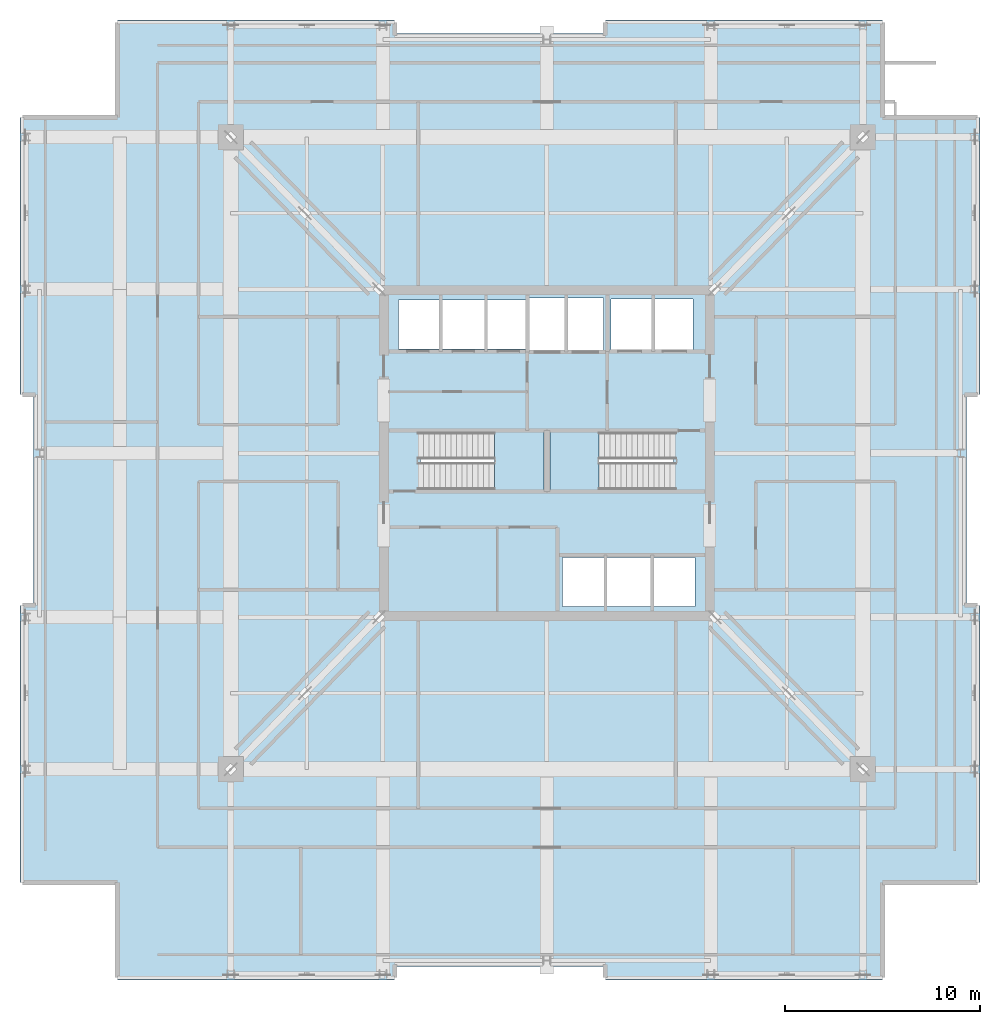
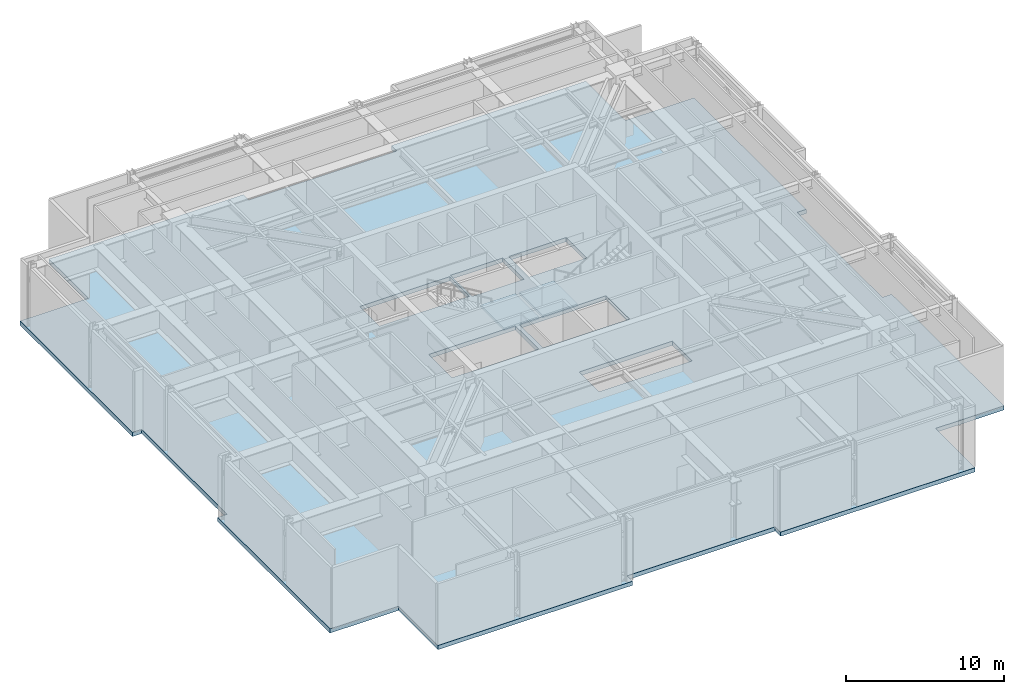
# One storey, part 4 of 13: 3 slabs, 2 elements without a shape of their own.
"""IFC4 building model written with IfcOpenShell, lengths in metres."""

from ifc_helpers import new_model, si_unit, direction, frame, origin, place, context, subcontext, project, spatial, polyline, outline, extrude, material, layer, layer_set, type_object, element, aggregate, save


model = new_model("IFC4")

# Units and contexts
model_context = context("Model", 3, precision=1e-05, world=origin(), true_north=direction((0.0, 1.0)))
body_context = subcontext(model_context, "Body", "Model", "MODEL_VIEW")
ifc_project = project(units=[si_unit("LENGTHUNIT", "METRE"), si_unit("AREAUNIT", "SQUARE_METRE"), si_unit("VOLUMEUNIT", "CUBIC_METRE"), si_unit("PLANEANGLEUNIT", "RADIAN"), si_unit("MASSUNIT", "GRAM", prefix="KILO")], contexts=[model_context])

# Site, building, storey
site_placement = place(None, origin())
site = spatial("IfcSite", under=ifc_project, at=site_placement, CompositionType="ELEMENT")
building_placement = place(site_placement, origin())
building = spatial("IfcBuilding", under=site, at=building_placement, Name="Drelvath Grand Hotel", CompositionType="ELEMENT")
storey_placement = place(building_placement, frame((0.0, 0.0, 200.10009765625)))
storey = spatial("IfcBuildingStorey", under=building, at=storey_placement, Name="L52", CompositionType="ELEMENT", Elevation=200.10009765625)

# Slab
ifc_material_1 = material(Name="Concrete f'c 40 MPa", Category="concrete")
ifc_layer_1 = layer(ifc_material_1, 0.320068359375)
ifc_layer_set_1 = layer_set([ifc_layer_1], Name="Concrete f'c 40 MPa")
slab_type_1 = type_object("IfcSlabType", Name="Composite RC Floor Slab 320", PredefinedType="FLOOR", material=ifc_layer_set_1)
slab_1_placement = place(storey_placement, frame((0.0, 0.0, -0.320068359375)))
element("IfcSlab", 1, at=slab_1_placement, inside=storey, type_object=slab_type_1, Name="L52 Structural Floor Slab", PredefinedType="FLOOR", context=body_context, shape_type="SweptSolid", body=[
    extrude(outline(polyline([(-22.0, 0.0), (-7.800048828125, 0.0), (-7.800048828125, 0.679931640625), (3.0, 0.679931640625), (3.0, 0.0), (17.199951171875, 0.0), (17.199951171875, 5.0), (22.199951171875, 5.0), (22.199951171875, 19.199951171875), (21.52001953125, 19.199951171875), (21.52001953125, 30.0), (22.199951171875, 30.0), (22.199951171875, 44.199951171875), (17.199951171875, 44.199951171875), (17.199951171875, 49.199951171875), (3.0, 49.199951171875), (3.0, 48.52001953125), (-7.800048828125, 48.52001953125), (-7.800048828125, 49.199951171875), (-22.0, 49.199951171875), (-22.0, 44.199951171875), (-27.0, 44.199951171875), (-27.0, 30.0), (-26.320068359375, 30.0), (-26.320068359375, 19.199951171875), (-27.0, 19.199951171875), (-27.0, 5.0), (-22.0, 5.0), (-22.0, 0.0)]), holes=[polyline([(-6.47998046875, 25.1201171875), (-6.47998046875, 28.080078125), (-0.14990234375, 28.080078125), (-0.14990234375, 25.1201171875), (-6.47998046875, 25.1201171875)]), polyline([(0.14990234375, 25.1201171875), (0.14990234375, 28.080078125), (6.47998046875, 28.080078125), (6.47998046875, 25.1201171875), (0.14990234375, 25.1201171875)]), polyline([(0.800048828125, 19.14990234375), (0.800048828125, 21.64990234375), (7.60009765625, 21.64990234375), (7.60009765625, 19.14990234375), (0.800048828125, 19.14990234375)]), polyline([(-7.60009765625, 32.35009765625), (-7.60009765625, 34.85009765625), (-1.02001953125, 34.85009765625), (-1.02001953125, 32.35009765625), (-7.60009765625, 32.35009765625)]), polyline([(-0.89990234375, 32.25), (-0.89990234375, 34.949951171875), (2.89990234375, 34.949951171875), (2.89990234375, 32.25), (-0.89990234375, 32.25)]), polyline([(3.300048828125, 32.300048828125), (3.300048828125, 34.89990234375), (7.5, 34.89990234375), (7.5, 32.300048828125), (3.300048828125, 32.300048828125)])]), origin(), (0.0, 0.0, 1.0), 0.320068359375),
])

# Stair, slab
ifc_material_2 = material(Name="Concrete C40/50", Category="concrete")
stair_type = type_object("IfcStairType", Name="Dogleg Exit Stair W1400-R166.7", PredefinedType="HALF_TURN_STAIR", material=ifc_material_2)
stair_1_placement = place(storey_placement, origin())
stair_1 = element("IfcStair", 2, at=stair_1_placement, inside=storey, type_object=stair_type, Name="L52 Core Exit Stair ST-1", PredefinedType="HALF_TURN_STAIR")
ifc_layer_2 = layer(ifc_material_2, 0.199951171875)
ifc_layer_set_2 = layer_set([ifc_layer_2], Name="Concrete C40/50")
slab_type_2 = type_object("IfcSlabType", Name="Concrete Stair Landing Slab 200", PredefinedType="LANDING", material=ifc_layer_set_2)
slab_2_placement = place(storey_placement, frame((0.0, 0.0, 2.2998046875)))
slab_2 = element("IfcSlab", 3, at=slab_2_placement, type_object=slab_type_2, Name="ST-1 landing 1", PredefinedType="LANDING", context=body_context, shape_type="SweptSolid", body=[
    extrude(outline(polyline([(-2.679931640625, 25.1201171875), (-0.14990234375, 25.1201171875), (-0.14990234375, 28.080078125), (-2.679931640625, 28.080078125), (-2.679931640625, 25.1201171875)])), origin(), (0.0, 0.0, 1.0), 0.2001953125),
])
aggregate(stair_1, [slab_2])

stair_2_placement = place(storey_placement, origin())
stair_2 = element("IfcStair", 4, at=stair_2_placement, inside=storey, type_object=stair_type, Name="L52 Core Exit Stair ST-2", PredefinedType="HALF_TURN_STAIR")
slab_3_placement = place(storey_placement, frame((0.0, 0.0, 2.2998046875)))
slab_3 = element("IfcSlab", 5, at=slab_3_placement, type_object=slab_type_2, Name="ST-2 landing 1", PredefinedType="LANDING", context=body_context, shape_type="SweptSolid", body=[
    extrude(outline(polyline([(2.679931640625, 28.080078125), (0.14990234375, 28.080078125), (0.14990234375, 25.1201171875), (2.679931640625, 25.1201171875), (2.679931640625, 28.080078125)])), origin(), (0.0, 0.0, 1.0), 0.2001953125),
])
aggregate(stair_2, [slab_3])

save(model, "model.ifc")
